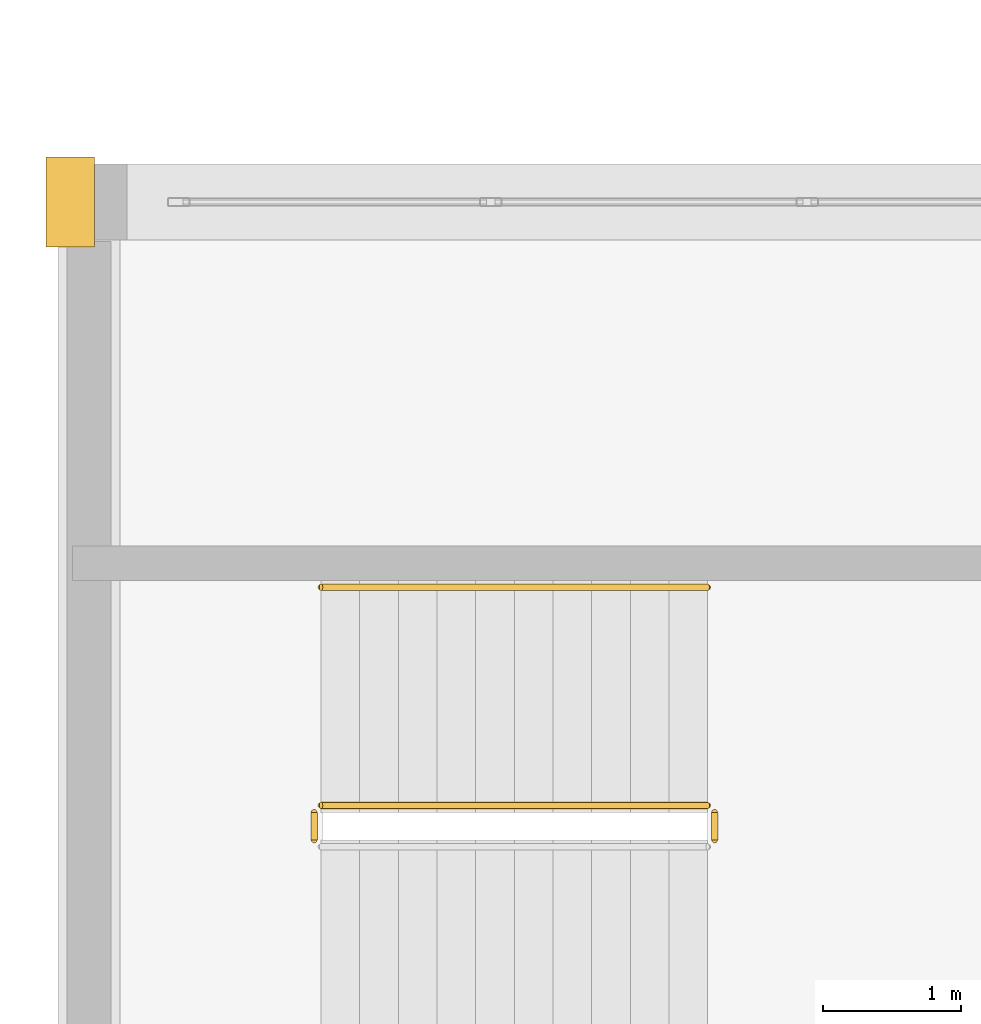
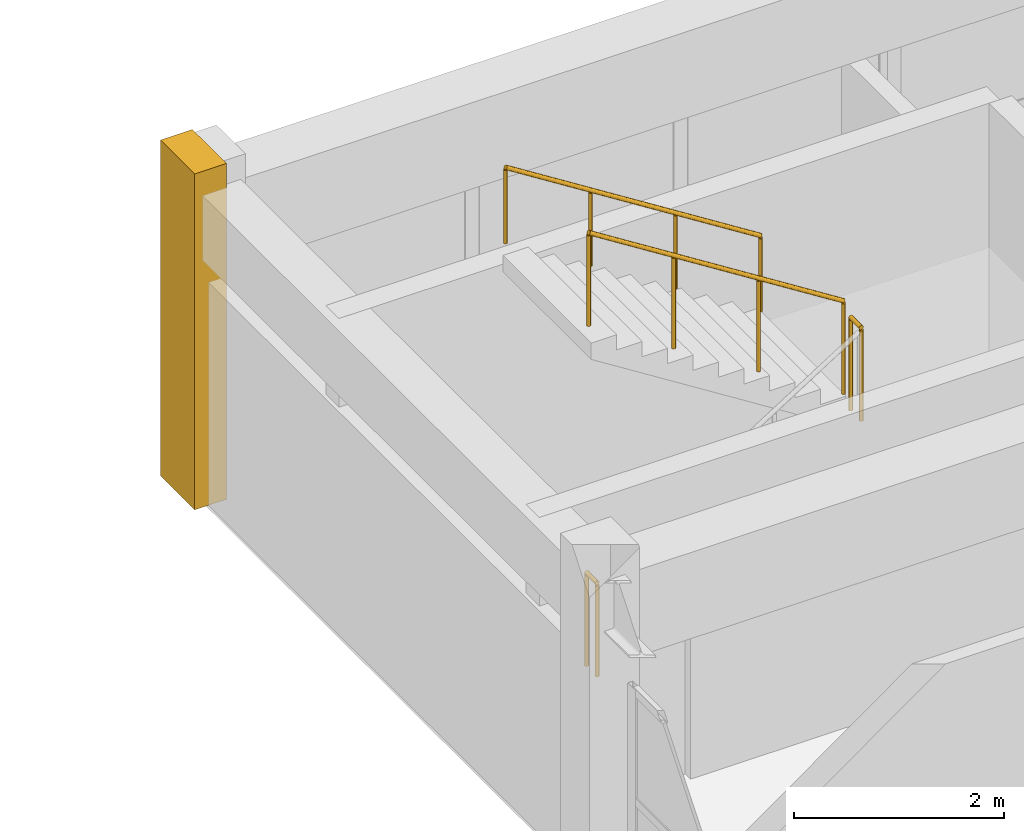
# One storey, part 92 of 101: 4 railings, 1 covering.
"""IFC4 building model written with IfcOpenShell, lengths in metres."""

from ifc_helpers import new_model, si_unit, direction, frame, origin, origin_2d, place, context, subcontext, project, spatial, rectangle, circle, extrude, material, layer, layer_set, type_object, element, save


model = new_model("IFC4")

# Units and contexts
model_context = context("Model", 3, precision=1e-05, world=origin(), true_north=direction((0.0, 1.0)))
body_context = subcontext(model_context, "Body", "Model", "MODEL_VIEW")
ifc_project = project(units=[si_unit("LENGTHUNIT", "METRE"), si_unit("AREAUNIT", "SQUARE_METRE"), si_unit("VOLUMEUNIT", "CUBIC_METRE"), si_unit("PLANEANGLEUNIT", "RADIAN"), si_unit("MASSUNIT", "GRAM", prefix="KILO")], contexts=[model_context])

# Site, building, storey
site_placement = place(None, origin())
site = spatial("IfcSite", under=ifc_project, at=site_placement, CompositionType="ELEMENT")
building_placement = place(site_placement, origin())
building = spatial("IfcBuilding", under=site, at=building_placement, Name="Qasida Concert Hall", CompositionType="ELEMENT")
storey_placement = place(building_placement, frame((0.0, 0.0, 13.199951171875)))
storey = spatial("IfcBuildingStorey", under=building, at=storey_placement, Name="L03", CompositionType="ELEMENT", Elevation=13.199951171875)

# Covering
ifc_material_1 = material(Name="Projecting fluted Lebanese limestone Art Deco pilaster", Category="masonry")
ifc_layer_1 = layer(ifc_material_1, 0.35009765625, Name="Projecting fluted Lebanese limestone Art Deco pilaster")
ifc_layer_set_1 = layer_set([ifc_layer_1], Name="Projecting fluted Lebanese limestone Art Deco pilaster")
covering_type = type_object("IfcCoveringType", Name="CV-PIL-650", PredefinedType="CLADDING", material=ifc_layer_set_1)
covering_placement = place(storey_placement, frame((-0.135009765625, 52.5, 0.0), z_axis=(0.0, 0.0, 1.0), x_axis=(1.0, 0.0, 0.0)))
element("IfcCovering", 1, at=covering_placement, inside=storey, type_object=covering_type, Name="L03 fluted limestone pilaster 0188", PredefinedType="CLADDING", context=body_context, shape_type="SweptSolid", body=[
    extrude(rectangle(XDim=0.35009765625, YDim=0.64990234375, at=origin_2d()), origin(), (0.0, 0.0, 1.0), 3.89990234375),
])

# Railings
ifc_material_2 = material(Name="Patinated architectural bronze and laminated glass infill", Category="glass")
ifc_layer_2 = layer(ifc_material_2, 0.080078125, Name="Patinated architectural bronze and laminated glass infill")
ifc_layer_set_2 = layer_set([ifc_layer_2], Name="Patinated architectural bronze and laminated glass infill")
railing_type_1 = type_object("IfcRailingType", Name="RL-GRD-1100", PredefinedType="GUARDRAIL", material=ifc_layer_set_2)
railing_1_placement = place(storey_placement, frame((4.530029296875, 47.8798828125, 1.949951171875)))
element("IfcRailing", 2, at=railing_1_placement, inside=storey, type_object=railing_type_1, Name="L03 ST-04 stair guard 2", PredefinedType="GUARDRAIL", context=body_context, shape_type="SweptSolid", body=[
    extrude(circle(Radius=0.02392578125, at=origin_2d()), frame((0.0, 0.0, 1.076171875), z_axis=(0.0, 1.0, 0.0), x_axis=(-1.0, 0.0, 0.0)), (0.0, 0.0, 1.0), 0.2001953125),
    extrude(circle(Radius=0.02099609375, at=origin_2d()), origin(), (0.0, 0.0, 1.0), 1.052001953125),
    extrude(circle(Radius=0.02099609375, at=origin_2d()), frame((0.0, 0.2001953125, 0.0)), (0.0, 0.0, 1.0), 1.052001953125),
])
railing_2_placement = place(storey_placement, frame((4.47998046875, 48.1298828125, 2.12744140625)))
element("IfcRailing", 3, at=railing_2_placement, inside=storey, type_object=railing_type_1, Name="L03 ST-04 stair guard 3", PredefinedType="GUARDRAIL", context=body_context, shape_type="SweptSolid", body=[
    extrude(circle(Radius=0.02392578125, at=origin_2d()), frame((0.0, 0.0, 1.076171875), z_axis=(-0.844908973607, 0.0, 0.534910110503), x_axis=(0.0, -1.0, 0.0)), (0.0, 0.0, 1.0), 3.31396484375),
    extrude(circle(Radius=0.02099609375, at=origin_2d()), origin(), (0.0, 0.0, 1.0), 1.052001953125),
    extrude(circle(Radius=0.02099609375, at=origin_2d()), frame((-0.933349609375, 0.0, 0.5908203125)), (0.0, 0.0, 1.0), 1.052001953125),
    extrude(circle(Radius=0.02099609375, at=origin_2d()), frame((-1.86669921875, 0.0, 1.181884765625)), (0.0, 0.0, 1.0), 1.052001953125),
    extrude(circle(Radius=0.02099609375, at=origin_2d()), frame((-2.800048828125, 0.0, 1.772705078125)), (0.0, 0.0, 1.0), 1.052001953125),
])
railing_3_placement = place(storey_placement, frame((1.6298828125, 47.8798828125, 0.0)))
element("IfcRailing", 4, at=railing_3_placement, inside=storey, type_object=railing_type_1, Name="L03 ST-04 stair guard 4", PredefinedType="GUARDRAIL", context=body_context, shape_type="SweptSolid", body=[
    extrude(circle(Radius=0.02392578125, at=origin_2d()), frame((0.0, 0.0, 1.076171875), z_axis=(0.0, 1.0, 0.0), x_axis=(-1.0, 0.0, 0.0)), (0.0, 0.0, 1.0), 0.2001953125),
    extrude(circle(Radius=0.02099609375, at=origin_2d()), origin(), (0.0, 0.0, 1.0), 1.052001953125),
    extrude(circle(Radius=0.02099609375, at=origin_2d()), frame((0.0, 0.2001953125, 0.0)), (0.0, 0.0, 1.0), 1.052001953125),
])
ifc_material_3 = material(Name="Patinated tubular architectural bronze", Category="steel")
ifc_layer_3 = layer(ifc_material_3, 0.050048828125, Name="Patinated tubular architectural bronze")
ifc_layer_set_3 = layer_set([ifc_layer_3], Name="Patinated tubular architectural bronze")
railing_type_2 = type_object("IfcRailingType", Name="RL-HND-900", PredefinedType="HANDRAIL", material=ifc_layer_set_3)
railing_4_placement = place(storey_placement, frame((4.47998046875, 49.7099609375, 2.12744140625)))
element("IfcRailing", 5, at=railing_4_placement, inside=storey, type_object=railing_type_2, Name="L03 ST-04 stair handrail 2", PredefinedType="HANDRAIL", context=body_context, shape_type="SweptSolid", body=[
    extrude(circle(Radius=0.02392578125, at=origin_2d()), frame((0.0, 0.0, 0.8759765625), z_axis=(-0.844908973607, 0.0, 0.534910110503), x_axis=(0.0, -1.0, 0.0)), (0.0, 0.0, 1.0), 3.31396484375),
    extrude(circle(Radius=0.02099609375, at=origin_2d()), origin(), (0.0, 0.0, 1.0), 0.851806640625),
    extrude(circle(Radius=0.02099609375, at=origin_2d()), frame((-0.933349609375, 0.0, 0.5908203125)), (0.0, 0.0, 1.0), 0.851806640625),
    extrude(circle(Radius=0.02099609375, at=origin_2d()), frame((-1.86669921875, 0.0, 1.181884765625)), (0.0, 0.0, 1.0), 0.851806640625),
    extrude(circle(Radius=0.02099609375, at=origin_2d()), frame((-2.800048828125, 0.0, 1.772705078125)), (0.0, 0.0, 1.0), 0.851806640625),
])

save(model, "model.ifc")
